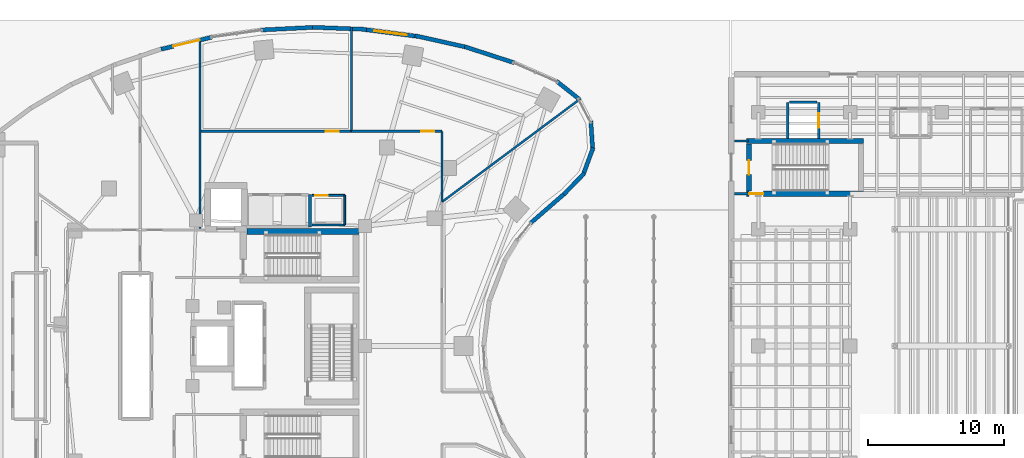
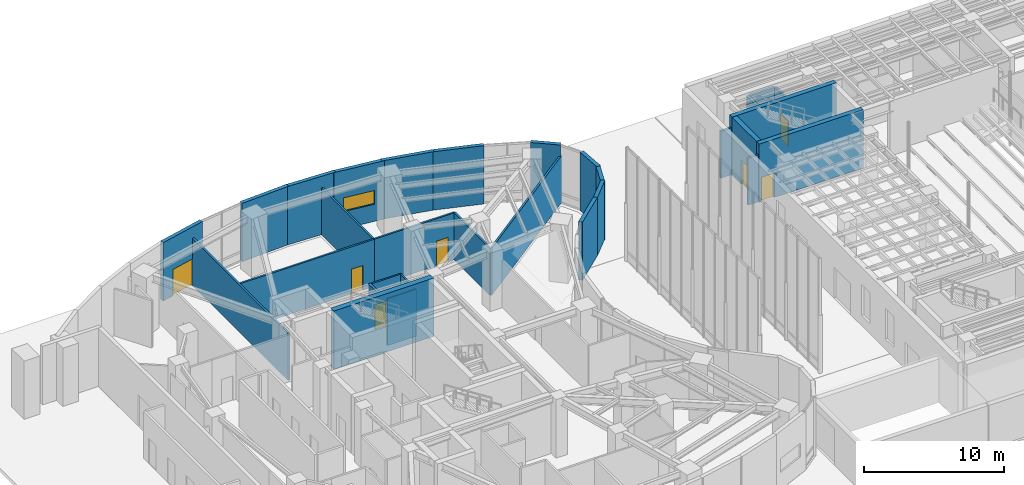
# One storey, part 21 of 28: 30 walls, 7 doors, 1 window, 8 openings.
"""IFC4 building model written with IfcOpenShell, lengths in metres."""

from ifc_helpers import new_model, si_unit, direction, frame, frame_2d, origin, place, context, subcontext, project, spatial, rectangle, extrude, material, layer, layer_set, type_object, element, fill, save


model = new_model("IFC4")

# Units and contexts
model_context = context("Model", 3, precision=1e-05, world=origin(), true_north=direction((0.0, 1.0)))
body_context = subcontext(model_context, "Body", "Model", "MODEL_VIEW")
ifc_project = project(units=[si_unit("LENGTHUNIT", "METRE"), si_unit("AREAUNIT", "SQUARE_METRE"), si_unit("VOLUMEUNIT", "CUBIC_METRE"), si_unit("PLANEANGLEUNIT", "RADIAN"), si_unit("MASSUNIT", "GRAM", prefix="KILO")], contexts=[model_context])

# Site, building, storey
site_placement = place(None, origin())
site = spatial("IfcSite", under=ifc_project, at=site_placement, CompositionType="ELEMENT")
building_placement = place(site_placement, origin())
building = spatial("IfcBuilding", under=site, at=building_placement, Name="Korentha Bioscience Tower", CompositionType="ELEMENT")
storey_placement = place(building_placement, origin())
storey = spatial("IfcBuildingStorey", under=building, at=storey_placement, Name="L00", CompositionType="ELEMENT", Elevation=0.0)

# Wall, opening, door
ifc_material_1 = material(Name="Double-Stud Acoustic Gypsum", Category="gypsum")
ifc_layer_1 = layer(ifc_material_1, 0.14990234375, Name="Double-Stud Acoustic Gypsum")
ifc_layer_set_1 = layer_set([ifc_layer_1], Name="Double-Stud Acoustic Gypsum (IW-L150)")
wall_type_1 = type_object("IfcWallType", Name="Acoustic Laboratory Partition Wall 150", PredefinedType="PARTITIONING", material=ifc_layer_set_1)
wall_1_placement = place(storey_placement, frame((43.199951171875, 42.81005859375, 0.0), z_axis=(0.0, 0.0, 1.0), x_axis=(-1.0, 0.0, 0.0)))
wall_1 = element("IfcWall", 1, at=wall_1_placement, inside=storey, type_object=wall_type_1, Name="L00 Fire Command and Life-Safety Control Centre 06 Entrance Wall", PredefinedType="PARTITIONING", context=body_context, shape_type="SweptSolid", body=[
    extrude(rectangle(XDim=6.64794921875, YDim=0.14990234375, at=frame_2d((3.323974609375, 0.0))), origin(), (0.0, 0.0, 1.0), 4.110107421875),
])
opening_1_placement = place(wall_1_placement, frame((0.552978515625, 0.0, 0.0)))
opening_1 = element("IfcOpeningElement", 2, at=opening_1_placement, cuts=wall_1, Name="Opening ID-10R", PredefinedType="OPENING", context=body_context, shape_type="SweptSolid", body=[
    extrude(rectangle(XDim=0.949951171875, YDim=2.14990234375, at=frame_2d((0.47509765625, 1.074951171875))), frame((0.0, 0.08984375, 0.0), z_axis=(0.0, -1.0, 0.0), x_axis=(1.0, 0.0, 0.0)), (0.0, 0.0, 1.0), 0.1796875),
])
ifc_material_2 = material(Name="Phenolic Laminate Timber Core", Category="wood")
door_type_1 = type_object("IfcDoorType", Name="Laboratory Single Leaf Door 950x2150 Right", OperationType="SINGLE_SWING_RIGHT", PredefinedType="DOOR", material=ifc_material_2)
door_1_placement = place(opening_1_placement, origin())
door_1 = element("IfcDoor", 3, at=door_1_placement, inside=storey, type_object=door_type_1, Name="L00 Fire Command and Life-Safety Control Centre 06 Door", OperationType="SINGLE_SWING_RIGHT", OverallHeight=2.14990234375, OverallWidth=0.949951171875, PredefinedType="DOOR", context=body_context, shape_type="SweptSolid", body=[
    extrude(rectangle(XDim=0.949951171875, YDim=2.14990234375, at=frame_2d((0.47509765625, 1.074951171875))), frame((0.0, 0.02490234375, 0.0), z_axis=(0.0, -1.0, 0.0), x_axis=(1.0, 0.0, 0.0)), (0.0, 0.0, 1.0), 0.050048828125),
])
fill(opening_1, door_1)

wall_2_placement = place(storey_placement, frame((36.5419921875, 42.81005859375, 0.0), z_axis=(0.0, 0.0, 1.0), x_axis=(-1.0, 0.0, 0.0)))
wall_2 = element("IfcWall", 4, at=wall_2_placement, inside=storey, type_object=wall_type_1, Name="L00 Visitor Security Accreditation Desk 07 Entrance Wall", PredefinedType="PARTITIONING", context=body_context, shape_type="SweptSolid", body=[
    extrude(rectangle(XDim=11.06201171875, YDim=0.14990234375, at=frame_2d((5.531005859375, 0.0))), origin(), (0.0, 0.0, 1.0), 4.110107421875),
])
opening_2_placement = place(wall_2_placement, frame((0.930908203125, 0.0, 0.0)))
opening_2 = element("IfcOpeningElement", 5, at=opening_2_placement, cuts=wall_2, Name="Opening ID-10L", PredefinedType="OPENING", context=body_context, shape_type="SweptSolid", body=[
    extrude(rectangle(XDim=0.949951171875, YDim=2.14990234375, at=frame_2d((0.47509765625, 1.074951171875))), frame((0.0, 0.08984375, 0.0), z_axis=(0.0, -1.0, 0.0), x_axis=(1.0, 0.0, 0.0)), (0.0, 0.0, 1.0), 0.1796875),
])
door_type_2 = type_object("IfcDoorType", Name="Laboratory Single Leaf Door 950x2150 Left", OperationType="SINGLE_SWING_LEFT", PredefinedType="DOOR", material=ifc_material_2)
door_2_placement = place(opening_2_placement, origin())
door_2 = element("IfcDoor", 6, at=door_2_placement, inside=storey, type_object=door_type_2, Name="L00 Visitor Security Accreditation Desk 07 Door", OperationType="SINGLE_SWING_LEFT", OverallHeight=2.14990234375, OverallWidth=0.949951171875, PredefinedType="DOOR", context=body_context, shape_type="SweptSolid", body=[
    extrude(rectangle(XDim=0.949951171875, YDim=2.14990234375, at=frame_2d((0.47509765625, 1.074951171875))), frame((0.0, 0.02490234375, 0.0), z_axis=(0.0, -1.0, 0.0), x_axis=(1.0, 0.0, 0.0)), (0.0, 0.0, 1.0), 0.050048828125),
])
fill(opening_2, door_2)

# Walls
wall_3_placement = place(storey_placement, frame((43.2099609375, 37.60888671875, 0.0), z_axis=(0.0, 0.0, 1.0), x_axis=(0.801772318533, 0.597629608733, 0.0)))
element("IfcWall", 7, at=wall_3_placement, inside=storey, type_object=wall_type_1, Name="L00 Interior Partition 042", PredefinedType="PARTITIONING", context=body_context, shape_type="SweptSolid", body=[
    extrude(rectangle(XDim=12.703125, YDim=0.14990234375, at=frame_2d((6.3515625, 0.0))), origin(), (0.0, 0.0, 1.0), 4.110107421875),
])
wall_4_placement = place(storey_placement, frame((43.2099609375, 37.62158203125, 0.0), z_axis=(0.0, 0.0, 1.0), x_axis=(0.0, 1.0, 0.0)))
element("IfcWall", 8, at=wall_4_placement, inside=storey, type_object=wall_type_1, Name="L00 Interior Partition 043", PredefinedType="PARTITIONING", context=body_context, shape_type="SweptSolid", body=[
    extrude(rectangle(XDim=5.178466796875, YDim=0.14990234375, at=frame_2d((2.58935546875, 0.0))), origin(), (0.0, 0.0, 1.0), 4.110107421875),
])
wall_5_placement = place(storey_placement, frame((36.552001953125, 42.81005859375, 0.0), z_axis=(0.0, 0.0, 1.0), x_axis=(0.0, 1.0, 0.0)))
element("IfcWall", 9, at=wall_5_placement, inside=storey, type_object=wall_type_1, Name="L00 Interior Partition 044", PredefinedType="PARTITIONING", context=body_context, shape_type="SweptSolid", body=[
    extrude(rectangle(XDim=7.66015625, YDim=0.14990234375, at=frame_2d((3.830078125, 0.0))), origin(), (0.0, 0.0, 1.0), 4.110107421875),
])
ifc_material_3 = material(Name="Gypsum-Clad Steel Stud", Category="steel")
ifc_layer_2 = layer(ifc_material_3, 0.159912109375, Name="Gypsum-Clad Steel Stud")
ifc_layer_set_2 = layer_set([ifc_layer_2], Name="Gypsum-Clad Steel Stud (IW-C160)")
wall_type_2 = type_object("IfcWallType", Name="Fire-Rated Corridor Partition Wall 160", PredefinedType="PARTITIONING", material=ifc_layer_set_2)
wall_6_placement = place(storey_placement, frame((25.39990234375, 35.64990234375, 0.0), z_axis=(0.0, 0.0, 1.0), x_axis=(0.0, 1.0, 0.0)))
element("IfcWall", 10, at=wall_6_placement, inside=storey, type_object=wall_type_2, Name="L00 Protected Exit Passageway Rated Wall EXP1-E", PredefinedType="PARTITIONING", context=body_context, shape_type="SweptSolid", body=[
    extrude(rectangle(XDim=13.75, YDim=0.159912109375, at=frame_2d((6.875, 0.0))), origin(), (0.0, 0.0, 1.0), 4.110107421875),
])
for number, where, z_axis, x_axis, name in (
    (11, (64.75, 38.2099609375, 0.0), (0.0, 0.0, 1.0), (1.0, 0.0, 0.0), "L00 Protected Exit Passageway Rated Wall EXVT2-S"),
    (12, (64.75, 42.090087890625, 0.0), (0.0, 0.0, 1.0), (1.0, 0.0, 0.0), "L00 Protected Exit Passageway Rated Wall EXVT2-N"),
):
    element("IfcWall", number, at=place(storey_placement, frame(where, z_axis=z_axis, x_axis=x_axis)), inside=storey, type_object=wall_type_2, Name=name, PredefinedType="PARTITIONING", context=body_context, shape_type="SweptSolid", body=[
        extrude(rectangle(XDim=1.030029296875, YDim=0.159912109375, at=frame_2d((0.51513671875, 0.0))), origin(), (0.0, 0.0, 1.0), 4.110107421875),
    ])

# Wall, opening, window
ifc_material_4 = material(Name="Honed Limestone Precast Concrete C40", Category="masonry")
ifc_layer_3 = layer(ifc_material_4, 0.300048828125, Name="Honed Limestone Precast Concrete C40")
ifc_layer_set_3 = layer_set([ifc_layer_3], Name="Honed Limestone Precast Concrete C40 (EW-ST300)")
wall_type_3 = type_object("IfcWallType", Name="Honed Limestone Cavity Spandrel Wall 300", PredefinedType="STANDARD", material=ifc_layer_set_3)
wall_7_placement = place(storey_placement, frame((41.37255859375, 49.797607421875, 0.0), z_axis=(0.0, 0.0, 1.0), x_axis=(-0.991741322416, 0.128254237408, 0.0)))
wall_7 = element("IfcWall", 13, at=wall_7_placement, inside=storey, type_object=wall_type_3, Name="L00 Honed Limestone Spandrel Wall 04", PredefinedType="STANDARD", context=body_context, shape_type="SweptSolid", body=[
    extrude(rectangle(XDim=3.91552734375, YDim=0.300048828125, at=frame_2d((1.957763671875, 0.0))), origin(), (0.0, 0.0, 1.0), 5.10009765625),
])
opening_3_placement = place(wall_7_placement, frame((0.7578125, 0.0, 1.5)))
opening_3 = element("IfcOpeningElement", 14, at=opening_3_placement, cuts=wall_7, Name="Opening WN-04", PredefinedType="OPENING", context=body_context, shape_type="SweptSolid", body=[
    extrude(rectangle(XDim=2.39990234375, YDim=1.199951171875, at=frame_2d((1.199951171875, 0.60009765625))), frame((0.0, 0.1650390625, 0.0), z_axis=(0.0, -1.0, 0.0), x_axis=(1.0, 0.0, 0.0)), (0.0, 0.0, 1.0), 0.329833984375),
])
ifc_material_5 = material(Name="Thermally Broken Aluminium Triple Glazing", Category="aluminium")
window_type = type_object("IfcWindowType", Name="Podium Clerestory Ribbon Window 2400x1200", PartitioningType="DOUBLE_PANEL_HORIZONTAL", PredefinedType="WINDOW", material=ifc_material_5)
window_placement = place(opening_3_placement, origin())
window = element("IfcWindow", 15, at=window_placement, inside=storey, type_object=window_type, Name="L00 Facade Window 04", OverallHeight=1.199951171875, OverallWidth=2.39990234375, PartitioningType="DOUBLE_PANEL_HORIZONTAL", PredefinedType="WINDOW", context=body_context, shape_type="SweptSolid", body=[
    extrude(rectangle(XDim=2.39990234375, YDim=1.199951171875, at=frame_2d((1.199951171875, 0.60009765625))), frame((0.0, 0.030029296875, 0.0), z_axis=(0.0, -1.0, 0.0), x_axis=(1.0, 0.0, 0.0)), (0.0, 0.0, 1.0), 0.06005859375),
])
fill(opening_3, window)

# Wall, opening, door
wall_8_placement = place(storey_placement, frame((22.524658203125, 48.8466796875, 0.0), z_axis=(0.0, 0.0, 1.0), x_axis=(0.973186156802, 0.230018921417, 0.0)))
wall_8 = element("IfcWall", 16, at=wall_8_placement, inside=storey, type_object=wall_type_3, Name="L00 Protected Exit Passageway Headwall 08", PredefinedType="STANDARD", context=body_context, shape_type="SweptSolid", body=[
    extrude(rectangle(XDim=3.861328125, YDim=0.300048828125, at=frame_2d((1.9306640625, 0.0))), origin(), (0.0, 0.0, 1.0), 5.10009765625),
])
opening_4_placement = place(wall_8_placement, frame((0.9306640625, 0.0, 0.0)))
opening_4 = element("IfcOpeningElement", 17, at=opening_4_placement, cuts=wall_8, Name="Opening ED-20F", PredefinedType="OPENING", context=body_context, shape_type="SweptSolid", body=[
    extrude(rectangle(XDim=2.0, YDim=2.300048828125, at=frame_2d((1.0, 1.14990234375))), frame((0.0, 0.1650390625, 0.0), z_axis=(0.0, -1.0, 0.0), x_axis=(1.0, 0.0, 0.0)), (0.0, 0.0, 1.0), 0.329833984375),
])
ifc_material_6 = material(Name="Powder-Coated Steel Leaf", Category="steel")
door_type_3 = type_object("IfcDoorType", Name="Fire Exit Discharge Double Door 2000x2300", OperationType="DOUBLE_DOOR_SINGLE_SWING", PredefinedType="DOOR", material=ifc_material_6)
door_3_placement = place(opening_4_placement, origin())
door_3 = element("IfcDoor", 18, at=door_3_placement, inside=storey, type_object=door_type_3, Name="L00 ST-1 North Exit Passageway Final Discharge Door", OperationType="DOUBLE_DOOR_SINGLE_SWING", OverallHeight=2.300048828125, OverallWidth=2.0, PredefinedType="DOOR", context=body_context, shape_type="SweptSolid", body=[
    extrude(rectangle(XDim=2.0, YDim=2.300048828125, at=frame_2d((1.0, 1.14990234375))), frame((0.0, 0.02490234375, 0.0), z_axis=(0.0, -1.0, 0.0), x_axis=(1.0, 0.0, 0.0)), (0.0, 0.0, 1.0), 0.050048828125),
])
fill(opening_4, door_3)

# Walls
wall_9_placement = place(storey_placement, frame((48.524658203125, 47.84912109375, 0.0), z_axis=(0.0, 0.0, 1.0), x_axis=(-0.950965833732, 0.309295947393, 0.0)))
element("IfcWall", 19, at=wall_9_placement, inside=storey, type_object=wall_type_3, Name="L00 Limestone Perimeter Closure Wall 02", PredefinedType="STANDARD", context=body_context, shape_type="SweptSolid", body=[
    extrude(rectangle(XDim=3.840087890625, YDim=0.300048828125, at=frame_2d((1.919921875, 0.0))), origin(), (0.0, 0.0, 1.0), 5.10009765625),
])
wall_10_placement = place(storey_placement, frame((45.03955078125, 48.9912109375, 0.0), z_axis=(0.0, 0.0, 1.0), x_axis=(-0.975868573345, 0.218358713032, 0.0)))
element("IfcWall", 20, at=wall_10_placement, inside=storey, type_object=wall_type_3, Name="L00 Limestone Perimeter Closure Wall 03", PredefinedType="STANDARD", context=body_context, shape_type="SweptSolid", body=[
    extrude(rectangle(XDim=3.90869140625, YDim=0.300048828125, at=frame_2d((1.954345703125, 0.0))), origin(), (0.0, 0.0, 1.0), 5.10009765625),
])
wall_11_placement = place(storey_placement, frame((37.643798828125, 50.307861328125, 0.0), z_axis=(0.0, 0.0, 1.0), x_axis=(-0.999245411623, 0.038840794937, 0.0)))
element("IfcWall", 21, at=wall_11_placement, inside=storey, type_object=wall_type_3, Name="L00 Limestone Perimeter Closure Wall 05", PredefinedType="STANDARD", context=body_context, shape_type="SweptSolid", body=[
    extrude(rectangle(XDim=3.978759765625, YDim=0.300048828125, at=frame_2d((1.9892578125, 0.0))), origin(), (0.0, 0.0, 1.0), 5.10009765625),
])
wall_12_placement = place(storey_placement, frame((33.84033203125, 50.46337890625, 0.0), z_axis=(0.0, 0.0, 1.0), x_axis=(-0.998732359232, -0.050335619826, 0.0)))
element("IfcWall", 22, at=wall_12_placement, inside=storey, type_object=wall_type_3, Name="L00 Limestone Perimeter Closure Wall 06", PredefinedType="STANDARD", context=body_context, shape_type="SweptSolid", body=[
    extrude(rectangle(XDim=3.977294921875, YDim=0.300048828125, at=frame_2d((1.98876953125, 0.0))), origin(), (0.0, 0.0, 1.0), 5.10009765625),
])
wall_13_placement = place(storey_placement, frame((49.708984375, 36.029296875, 0.0), z_axis=(0.0, 0.0, 1.0), x_axis=(0.754746490246, 0.656016566454, 0.0)))
element("IfcWall", 23, at=wall_13_placement, inside=storey, type_object=wall_type_3, Name="L00 Limestone Perimeter Closure Wall 56", PredefinedType="STANDARD", context=body_context, shape_type="SweptSolid", body=[
    extrude(rectangle(XDim=3.4296875, YDim=0.300048828125, at=frame_2d((1.71484375, 0.0))), origin(), (0.0, 0.0, 1.0), 5.10009765625),
])
wall_14_placement = place(storey_placement, frame((52.1728515625, 38.1611328125, 0.0), z_axis=(0.0, 0.0, 1.0), x_axis=(0.695404695719, 0.718618333451, 0.0)))
element("IfcWall", 24, at=wall_14_placement, inside=storey, type_object=wall_type_3, Name="L00 Limestone Perimeter Closure Wall 58", PredefinedType="STANDARD", context=body_context, shape_type="SweptSolid", body=[
    extrude(rectangle(XDim=2.1875, YDim=0.300048828125, at=frame_2d((1.09375, 0.0))), origin(), (0.0, 0.0, 1.0), 5.10009765625),
])
for number, where, z_axis, x_axis, name in (
    (25, (53.580078125, 39.551513671875, 0.0), (0.0, 0.0, 1.0), (0.344939866054, 0.938624785954, 0.0), "L00 Limestone Perimeter Closure Wall 59"),
    (26, (54.303955078125, 41.392578125, 0.0), (0.0, 0.0, 1.0), (-0.064615302336, 0.99791024782, 0.0), "L00 Limestone Perimeter Closure Wall 60"),
    (27, (53.343994140625, 45.142822265625, 0.0), (0.0, 0.0, 1.0), (-0.782282158644, 0.622924252432, 0.0), "L00 Limestone Perimeter Closure Wall 62"),
):
    element("IfcWall", number, at=place(storey_placement, frame(where, z_axis=z_axis, x_axis=x_axis)), inside=storey, type_object=wall_type_3, Name=name, PredefinedType="STANDARD", context=body_context, shape_type="SweptSolid", body=[
        extrude(rectangle(XDim=2.187744140625, YDim=0.300048828125, at=frame_2d((1.09375, 0.0))), origin(), (0.0, 0.0, 1.0), 5.10009765625),
    ])
ifc_material_7 = material(Name="Autoclaved Aerated Concrete Block C25", Category="concrete")
ifc_layer_4 = layer(ifc_material_7, 0.199951171875, Name="Autoclaved Aerated Concrete Block C25")
ifc_layer_set_4 = layer_set([ifc_layer_4], Name="Autoclaved Aerated Concrete Block C25 (IW-S200)")
wall_type_4 = type_object("IfcWallType", Name="Lift and Riser Shaft Enclosure Wall 200", PredefinedType="PARTITIONING", material=ifc_layer_set_4)
wall_15_placement = place(storey_placement, frame((33.489990234375, 35.760009765625, 0.0), z_axis=(0.0, 0.0, 1.0), x_axis=(0.0, 1.0, 0.0)))
element("IfcWall", 28, at=wall_15_placement, inside=storey, type_object=wall_type_4, Name="L00 Lift Bank OBS Shaft Wall +X", PredefinedType="PARTITIONING", context=body_context, shape_type="SweptSolid", body=[
    extrude(rectangle(XDim=2.3798828125, YDim=0.199951171875, at=frame_2d((1.18994140625, 0.0))), origin(), (0.0, 0.0, 1.0), 4.110107421875),
])
wall_16_placement = place(storey_placement, frame((68.659912109375, 42.260009765625, 0.0), z_axis=(0.0, 0.0, 1.0), x_axis=(0.0, 1.0, 0.0)))
element("IfcWall", 29, at=wall_16_placement, inside=storey, type_object=wall_type_4, Name="L00 Lift Bank LT1 Shaft Wall -X", PredefinedType="PARTITIONING", context=body_context, shape_type="SweptSolid", body=[
    extrude(rectangle(XDim=2.679931640625, YDim=0.199951171875, at=frame_2d((1.33984375, 0.0))), origin(), (0.0, 0.0, 1.0), 4.110107421875),
])

# Wall, opening, door
wall_17_placement = place(storey_placement, frame((70.93994140625, 42.260009765625, 0.0), z_axis=(0.0, 0.0, 1.0), x_axis=(0.0, 1.0, 0.0)))
wall_17 = element("IfcWall", 30, at=wall_17_placement, inside=storey, type_object=wall_type_4, Name="L00 Lift Bank LT1 Shaft Wall +X", PredefinedType="PARTITIONING", context=body_context, shape_type="SweptSolid", body=[
    extrude(rectangle(XDim=2.679931640625, YDim=0.199951171875, at=frame_2d((1.33984375, 0.0))), origin(), (0.0, 0.0, 1.0), 4.110107421875),
])
opening_5_placement = place(wall_17_placement, frame((0.7900390625, 0.0, 0.0)))
opening_5 = element("IfcOpeningElement", 31, at=opening_5_placement, cuts=wall_17, Name="Opening LD-11", PredefinedType="OPENING", context=body_context, shape_type="SweptSolid", body=[
    extrude(rectangle(XDim=1.10009765625, YDim=2.199951171875, at=frame_2d((0.550048828125, 1.10009765625))), frame((0.0, 0.11474609375, 0.0), z_axis=(0.0, -1.0, 0.0), x_axis=(1.0, 0.0, 0.0)), (0.0, 0.0, 1.0), 0.229736328125),
])
ifc_material_8 = material(Name="Brushed Stainless Steel 304", Category="steel")
door_type_4 = type_object("IfcDoorType", Name="Passenger Lift Sliding Landing Door 1100x2200", OperationType="DOUBLE_DOOR_SLIDING", PredefinedType="DOOR", material=ifc_material_8)
door_4_placement = place(opening_5_placement, origin())
door_4 = element("IfcDoor", 32, at=door_4_placement, inside=storey, type_object=door_type_4, Name="L00 LT-1 Sliding Lift Landing Door", OperationType="DOUBLE_DOOR_SLIDING", OverallHeight=2.199951171875, OverallWidth=1.10009765625, PredefinedType="DOOR", context=body_context, shape_type="SweptSolid", body=[
    extrude(rectangle(XDim=1.10009765625, YDim=2.199951171875, at=frame_2d((0.550048828125, 1.10009765625))), frame((0.0, 0.02490234375, 0.0), z_axis=(0.0, -1.0, 0.0), x_axis=(1.0, 0.0, 0.0)), (0.0, 0.0, 1.0), 0.050048828125),
])
fill(opening_5, door_4)

# Walls
wall_18_placement = place(storey_placement, frame((68.780029296875, 44.93994140625, 0.0), z_axis=(0.0, 0.0, 1.0), x_axis=(1.0, 0.0, 0.0)))
element("IfcWall", 33, at=wall_18_placement, inside=storey, type_object=wall_type_4, Name="L00 Lift Bank LT1 Shaft Wall +Y", PredefinedType="PARTITIONING", context=body_context, shape_type="SweptSolid", body=[
    extrude(rectangle(XDim=2.0400390625, YDim=0.199951171875, at=frame_2d((1.02001953125, 0.0))), origin(), (0.0, 0.0, 1.0), 4.110107421875),
])
ifc_material_9 = material(Name="Concrete C80", Category="concrete")
ifc_layer_5 = layer(ifc_material_9, 0.449951171875, Name="Concrete C80")
ifc_layer_set_5 = layer_set([ifc_layer_5], Name="Concrete C80 (CW-C80)")
wall_type_5 = type_object("IfcWallType", Name="Lower Core Shear Wall 450", PredefinedType="SHEAR", material=ifc_layer_set_5)
wall_19_placement = place(storey_placement, frame((28.85205078125, 35.425048828125, 0.0), z_axis=(0.0, 0.0, 1.0), x_axis=(1.0, 0.0, 0.0)))
element("IfcWall", 34, at=wall_19_placement, inside=storey, type_object=wall_type_5, Name="L00 Core Shear Wall ST1-N", PredefinedType="SHEAR", context=body_context, shape_type="SweptSolid", body=[
    extrude(rectangle(XDim=8.248046875, YDim=0.449951171875, at=frame_2d((4.1240234375, 0.0))), origin(), (0.0, 0.0, 1.0), 5.10009765625),
])

# Wall, opening, door
ifc_material_10 = material(Name="Concrete C50", Category="concrete")
ifc_layer_6 = layer(ifc_material_10, 0.3798828125, Name="Concrete C50")
ifc_layer_set_6 = layer_set([ifc_layer_6], Name="Concrete C50 (TW-I380)")
wall_type_6 = type_object("IfcWallType", Name="Theatre Proscenium Shear Wall 380", PredefinedType="SHEAR", material=ifc_layer_set_6)
wall_20_placement = place(storey_placement, frame((65.6201171875, 38.2099609375, 0.0), z_axis=(0.0, 0.0, 1.0), x_axis=(1.0, 0.0, 0.0)))
wall_20 = element("IfcWall", 35, at=wall_20_placement, inside=storey, type_object=wall_type_6, Name="L00 Theatre Shear Wall STT2-S", PredefinedType="SHEAR", context=body_context, shape_type="SweptSolid", body=[
    extrude(rectangle(XDim=8.60986328125, YDim=0.3798828125, at=frame_2d((4.304931640625, 0.0))), origin(), (0.0, 0.0, 1.0), 5.10009765625),
])
opening_6_placement = place(wall_20_placement, frame((0.199951171875, 0.0, 0.0)))
opening_6 = element("IfcOpeningElement", 36, at=opening_6_placement, cuts=wall_20, Name="Opening FD-90R", PredefinedType="OPENING", context=body_context, shape_type="SweptSolid", body=[
    extrude(rectangle(XDim=1.050048828125, YDim=2.14990234375, at=frame_2d((0.52490234375, 1.074951171875))), frame((0.0, 0.204833984375, 0.0), z_axis=(0.0, -1.0, 0.0), x_axis=(1.0, 0.0, 0.0)), (0.0, 0.0, 1.0), 0.40966796875),
])
ifc_material_11 = material(Name="Powder-Coated Fire-Rated Steel", Category="steel")
door_type_5 = type_object("IfcDoorType", Name="Stairwell Fire Exit Door 1050x2150 Right", OperationType="SINGLE_SWING_RIGHT", PredefinedType="DOOR", material=ifc_material_11)
door_5_placement = place(opening_6_placement, origin())
door_5 = element("IfcDoor", 37, at=door_5_placement, inside=storey, type_object=door_type_5, Name="L00 ST-T2 Fire Exit Stair Door", OperationType="SINGLE_SWING_RIGHT", OverallHeight=2.14990234375, OverallWidth=1.050048828125, PredefinedType="DOOR", context=body_context, shape_type="SweptSolid", body=[
    extrude(rectangle(XDim=1.050048828125, YDim=2.14990234375, at=frame_2d((0.52490234375, 1.074951171875))), frame((0.0, 0.02490234375, 0.0), z_axis=(0.0, -1.0, 0.0), x_axis=(1.0, 0.0, 0.0)), (0.0, 0.0, 1.0), 0.050048828125),
])
fill(opening_6, door_5)

# Wall
wall_21_placement = place(storey_placement, frame((65.6201171875, 42.090087890625, 0.0), z_axis=(0.0, 0.0, 1.0), x_axis=(1.0, 0.0, 0.0)))
element("IfcWall", 38, at=wall_21_placement, inside=storey, type_object=wall_type_6, Name="L00 Theatre Shear Wall STT2-N", PredefinedType="SHEAR", context=body_context, shape_type="SweptSolid", body=[
    extrude(rectangle(XDim=8.60986328125, YDim=0.3798828125, at=frame_2d((4.304931640625, 0.0))), origin(), (0.0, 0.0, 1.0), 5.10009765625),
])

# Wall, opening, door
wall_22_placement = place(storey_placement, frame((65.81005859375, 38.409912109375, 0.0), z_axis=(0.0, 0.0, 1.0), x_axis=(0.0, 1.0, 0.0)))
wall_22 = element("IfcWall", 39, at=wall_22_placement, inside=storey, type_object=wall_type_6, Name="L00 Theatre Shear Wall STT2-W", PredefinedType="SHEAR", context=body_context, shape_type="SweptSolid", body=[
    extrude(rectangle(XDim=3.47998046875, YDim=0.3798828125, at=frame_2d((1.739990234375, 0.0))), origin(), (0.0, 0.0, 1.0), 5.10009765625),
])
opening_7_placement = place(wall_22_placement, frame((1.199951171875, 0.0, 0.0)))
opening_7 = element("IfcOpeningElement", 40, at=opening_7_placement, cuts=wall_22, Name="Opening FD-90L", PredefinedType="OPENING", context=body_context, shape_type="SweptSolid", body=[
    extrude(rectangle(XDim=1.050048828125, YDim=2.14990234375, at=frame_2d((0.52490234375, 1.074951171875))), frame((0.0, 0.204833984375, 0.0), z_axis=(0.0, -1.0, 0.0), x_axis=(1.0, 0.0, 0.0)), (0.0, 0.0, 1.0), 0.40966796875),
])
door_type_6 = type_object("IfcDoorType", Name="Stairwell Fire Exit Door 1050x2150 Left", OperationType="SINGLE_SWING_LEFT", PredefinedType="DOOR", material=ifc_material_11)
door_6_placement = place(opening_7_placement, origin())
door_6 = element("IfcDoor", 41, at=door_6_placement, inside=storey, type_object=door_type_6, Name="L00 ST-T2 Protected Exit Passageway Discharge Door", OperationType="SINGLE_SWING_LEFT", OverallHeight=2.14990234375, OverallWidth=1.050048828125, PredefinedType="DOOR", context=body_context, shape_type="SweptSolid", body=[
    extrude(rectangle(XDim=1.050048828125, YDim=2.14990234375, at=frame_2d((0.52490234375, 1.074951171875))), frame((0.0, 0.02490234375, 0.0), z_axis=(0.0, -1.0, 0.0), x_axis=(1.0, 0.0, 0.0)), (0.0, 0.0, 1.0), 0.050048828125),
])
fill(opening_7, door_6)

ifc_material_12 = material(Name="Cement-Board Steel Stud", Category="steel")
ifc_layer_7 = layer(ifc_material_12, 0.1298828125, Name="Cement-Board Steel Stud")
ifc_layer_set_7 = layer_set([ifc_layer_7], Name="Cement-Board Steel Stud (IW-W130)")
wall_type_7 = type_object("IfcWallType", Name="Wet-Area Moisture-Resistant Partition 130", PredefinedType="PARTITIONING", material=ifc_layer_set_7)
wall_23_placement = place(storey_placement, frame((33.64990234375, 38.090087890625, 0.0), z_axis=(0.0, 0.0, 1.0), x_axis=(1.0, 0.0, 0.0)))
wall_23 = element("IfcWall", 42, at=wall_23_placement, inside=storey, type_object=wall_type_7, Name="L00 Accessible Staff WC Entrance Wall", PredefinedType="PARTITIONING", context=body_context, shape_type="SweptSolid", body=[
    extrude(rectangle(XDim=2.400146484375, YDim=0.1298828125, at=frame_2d((1.2001953125, 0.0))), origin(), (0.0, 0.0, 1.0), 4.110107421875),
])
opening_8_placement = place(wall_23_placement, frame((0.239990234375, 0.0, 0.0)))
opening_8 = element("IfcOpeningElement", 43, at=opening_8_placement, cuts=wall_23, Name="Opening ID-09R", PredefinedType="OPENING", context=body_context, shape_type="SweptSolid", body=[
    extrude(rectangle(XDim=0.89990234375, YDim=2.14990234375, at=frame_2d((0.449951171875, 1.074951171875))), frame((0.0, 0.079833984375, 0.0), z_axis=(0.0, -1.0, 0.0), x_axis=(1.0, 0.0, 0.0)), (0.0, 0.0, 1.0), 0.15966796875),
])
ifc_material_13 = material(Name="Moisture-Resistant HPL Leaf", Category="wood")
door_type_7 = type_object("IfcDoorType", Name="Restroom & Accessible WC Door 900x2150 Right", OperationType="SINGLE_SWING_RIGHT", PredefinedType="DOOR", material=ifc_material_13)
door_7_placement = place(opening_8_placement, origin())
door_7 = element("IfcDoor", 44, at=door_7_placement, inside=storey, type_object=door_type_7, Name="L00 Accessible Staff WC Door", OperationType="SINGLE_SWING_RIGHT", OverallHeight=2.14990234375, OverallWidth=0.89990234375, PredefinedType="DOOR", context=body_context, shape_type="SweptSolid", body=[
    extrude(rectangle(XDim=0.89990234375, YDim=2.14990234375, at=frame_2d((0.449951171875, 1.074951171875))), frame((0.0, 0.02490234375, 0.0), z_axis=(0.0, -1.0, 0.0), x_axis=(1.0, 0.0, 0.0)), (0.0, 0.0, 1.0), 0.050048828125),
])
fill(opening_8, door_7)

# Walls
wall_24_placement = place(storey_placement, frame((36.050048828125, 35.909912109375, 0.0), z_axis=(0.0, 0.0, 1.0), x_axis=(-1.0, 0.0, 0.0)))
element("IfcWall", 45, at=wall_24_placement, inside=storey, type_object=wall_type_7, Name="L00 Interior Partition 020", PredefinedType="PARTITIONING", context=body_context, shape_type="SweptSolid", body=[
    extrude(rectangle(XDim=2.400146484375, YDim=0.1298828125, at=frame_2d((1.2001953125, 0.0))), origin(), (0.0, 0.0, 1.0), 4.110107421875),
])
wall_25_placement = place(storey_placement, frame((36.050048828125, 38.090087890625, 0.0), z_axis=(0.0, 0.0, 1.0), x_axis=(0.0, -1.0, 0.0)))
element("IfcWall", 46, at=wall_25_placement, inside=storey, type_object=wall_type_7, Name="L00 Interior Partition 021", PredefinedType="PARTITIONING", context=body_context, shape_type="SweptSolid", body=[
    extrude(rectangle(XDim=2.18017578125, YDim=0.1298828125, at=frame_2d((1.090087890625, 0.0))), origin(), (0.0, 0.0, 1.0), 4.110107421875),
])

save(model, "model.ifc")
